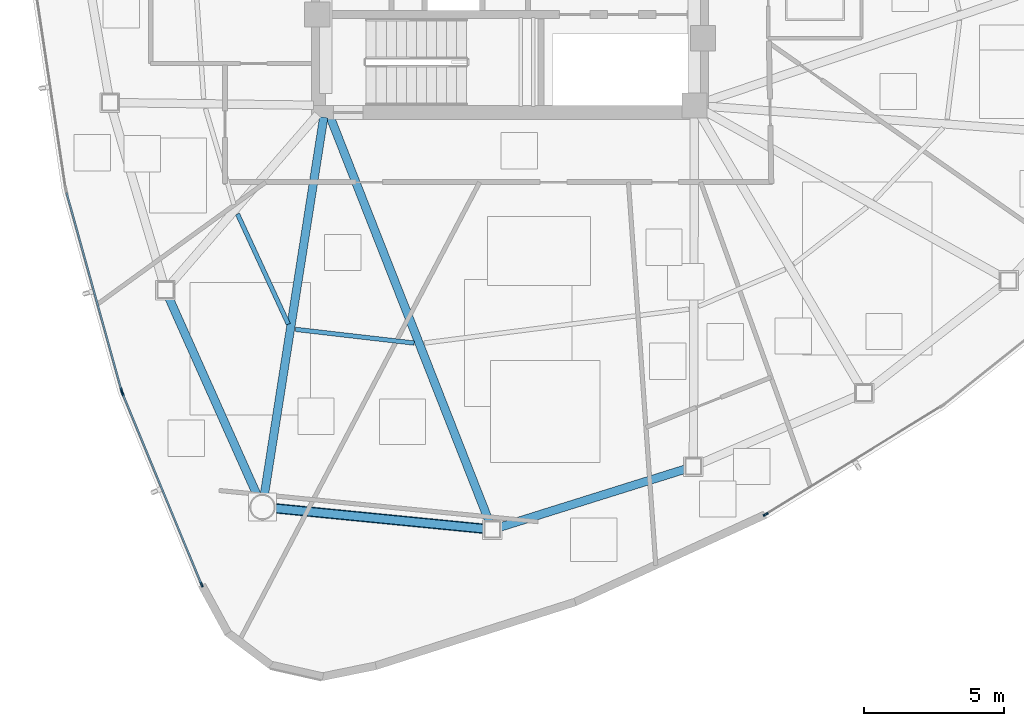
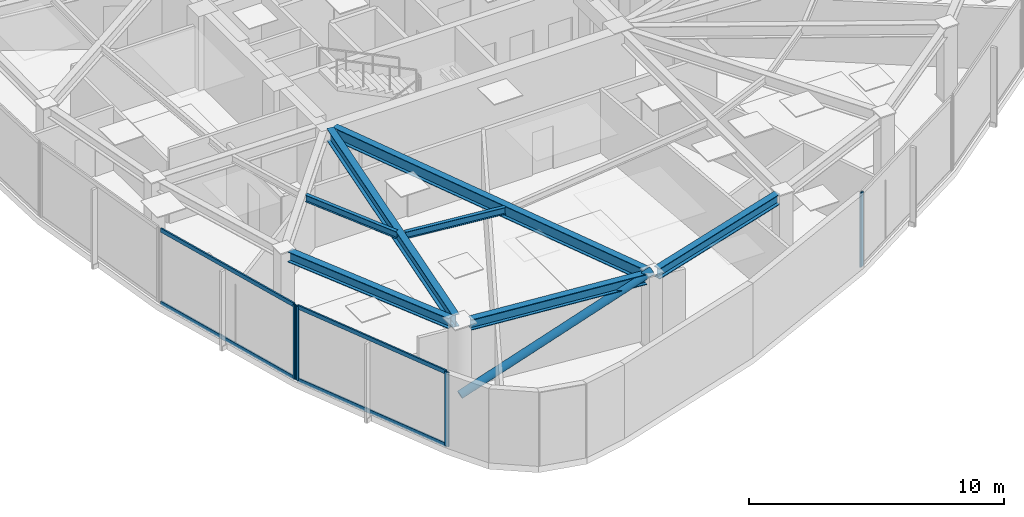
# One storey, part 2 of 18: 9 members, 7 beams, 3 elements without a shape of their own.
"""IFC4 building model written with IfcOpenShell, lengths in metres."""

import ifcopenshell
import ifcopenshell.guid

model = None  # the IFC model being written
_history = None  # IfcOwnerHistory: only IFC2X3 demands one
_inside = {}  # id of a spatial element -> (the spatial element, [elements in it])
_under = {}  # id of a project, library or spatial element -> (it, [spatial elements below it])
_declared = {}  # id of a project -> (the project, [libraries it declares])
_typed = {}  # id of a type object -> (the type object, [elements of that type])
_made_of = {}  # id of a material, layer set ... -> (it, [elements and type objects made of it])


def new_model(schema):
    """Start an empty IFC model of exactly this schema.

    Asked for "IFC4X3", IfcOpenShell would pick the latest addendum, in which some entities
    have other attributes; the version numbers below select the first issue.
    IFC2X3 requires an IfcOwnerHistory on every rooted entity: one is made here for all.
    """
    global model, _history
    if schema == "IFC4X3":
        model = ifcopenshell.file(schema_version=(4, 3, 0, 0))
    else:
        model = ifcopenshell.file(schema=schema)
    _inside.clear()
    _under.clear()
    _declared.clear()
    _typed.clear()
    _made_of.clear()
    _history = None
    if model.schema == "IFC2X3":
        org = make("IfcOrganization", Name="unknown")
        user = make(
            "IfcPersonAndOrganization",
            ThePerson=make("IfcPerson", FamilyName="unknown"),
            TheOrganization=org,
        )
        app = make(
            "IfcApplication",
            ApplicationDeveloper=org,
            Version="unknown",
            ApplicationFullName="unknown",
            ApplicationIdentifier="unknown",
        )
        _history = make(
            "IfcOwnerHistory",
            OwningUser=user,
            OwningApplication=app,
            ChangeAction="ADDED",
            CreationDate=0,
        )
    return model


def make(cls, **values):
    """One entity of the class cls with the attributes given. An attribute that is None is left unset."""
    return model.create_entity(
        cls, **{name: value for name, value in values.items() if value is not None}
    )


def rooted(cls, **values):
    """An entity with a GlobalId (a new one), such as an element, a storey or a relation."""
    return make(cls, GlobalId=ifcopenshell.guid.new(), OwnerHistory=_history, **values)


def si_unit(unit_type, name, prefix=None):
    """IfcSIUnit, for example si_unit("LENGTHUNIT", "METRE", prefix="MILLI")."""
    return make("IfcSIUnit", UnitType=unit_type, Prefix=prefix, Name=name)


def assignment(units):
    """IfcUnitAssignment: the units of a project."""
    return None if units is None else make("IfcUnitAssignment", Units=units)


def point(xyz):
    """IfcCartesianPoint."""
    return None if xyz is None else make("IfcCartesianPoint", Coordinates=xyz)


def direction(xyz):
    """IfcDirection."""
    return None if xyz is None else make("IfcDirection", DirectionRatios=xyz)


def frame(location, z_axis=None, x_axis=None):
    """IfcAxis2Placement3D, a coordinate frame: its origin and axes. An axis left out is left unset."""
    return make(
        "IfcAxis2Placement3D",
        Location=point(location),
        Axis=direction(z_axis),
        RefDirection=direction(x_axis),
    )


def frame_2d(location, x_axis=None):
    """IfcAxis2Placement2D, a coordinate frame in the plane: its origin and x axis."""
    return make(
        "IfcAxis2Placement2D", Location=point(location), RefDirection=direction(x_axis)
    )


def origin():
    """The frame at (0, 0, 0) with its axes left unset."""
    return frame((0.0, 0.0, 0.0))


def origin_2d():
    """The frame at (0, 0) in the plane with its x axis left unset."""
    return frame_2d((0.0, 0.0))


def place(relative_to, where):
    """IfcLocalPlacement: puts the frame where relative to a parent placement (None: the world)."""
    return make(
        "IfcLocalPlacement", PlacementRelTo=relative_to, RelativePlacement=where
    )


def context(
    kind, dimensions, precision=None, world=None, true_north=None, identifier=None
):
    """IfcGeometricRepresentationContext, for example the 3D "Model" context."""
    return make(
        "IfcGeometricRepresentationContext",
        ContextIdentifier=identifier,
        ContextType=kind,
        CoordinateSpaceDimension=dimensions,
        Precision=precision,
        WorldCoordinateSystem=world,
        TrueNorth=true_north,
    )


def subcontext(parent, identifier, kind, view, scale=None):
    """IfcGeometricRepresentationSubContext, for example "Body" below "Model"."""
    return make(
        "IfcGeometricRepresentationSubContext",
        ContextIdentifier=identifier,
        ContextType=kind,
        ParentContext=parent,
        TargetScale=scale,
        TargetView=view,
    )


def project(units=None, contexts=None):
    """IfcProject with its units and contexts."""
    return rooted(
        "IfcProject",
        Name="project",
        RepresentationContexts=contexts,
        UnitsInContext=assignment(units),
    )


def spatial(cls, under=None, at=None, **own):
    """A site, building, storey or space (cls), placed at a placement, below another one or the project."""
    s = rooted(cls, ObjectPlacement=at, **own)
    if under is not None:
        _under.setdefault(under.id(), (under, []))[1].append(s)
    return s


def profile(cls, at=None, kind="AREA", **sizes):
    """A parametric profile (cls). Its sizes go by their IFC names, for example OverallWidth=200.0."""
    return make(cls, ProfileType=kind, Position=at, **sizes)


def hollow_rectangle(**sizes):
    """IfcRectangleHollowProfileDef."""
    return profile("IfcRectangleHollowProfileDef", **sizes)


def hollow_circle(**sizes):
    """IfcCircleHollowProfileDef."""
    return profile("IfcCircleHollowProfileDef", **sizes)


def i_section(**sizes):
    """IfcIShapeProfileDef."""
    return profile("IfcIShapeProfileDef", **sizes)


def extrude(swept, where, along, depth):
    """IfcExtrudedAreaSolid: the profile swept, set in the frame where, extruded along a direction by depth."""
    return make(
        "IfcExtrudedAreaSolid",
        SweptArea=swept,
        Position=where,
        ExtrudedDirection=direction(along),
        Depth=depth,
    )


def shape(context_of_items, identifier, shape_type, items):
    """IfcShapeRepresentation: the items that make up one representation, for example the "Body"."""
    return make(
        "IfcShapeRepresentation",
        ContextOfItems=context_of_items,
        RepresentationIdentifier=identifier,
        RepresentationType=shape_type,
        Items=items,
    )


def source(mapping_origin, context_of_items, identifier, shape_type, items):
    """IfcRepresentationMap: a shape defined once, which mapped items show again and again."""
    return make(
        "IfcRepresentationMap",
        MappingOrigin=mapping_origin,
        MappedRepresentation=shape(context_of_items, identifier, shape_type, items),
    )


def transform(
    local_origin,
    x_axis=None,
    y_axis=None,
    z_axis=None,
    scale=None,
    scale2=None,
    scale3=None,
    uniform=True,
):
    """IfcCartesianTransformationOperator3D, or its non-uniform kind. x_axis, y_axis, z_axis: its Axis1, 2, 3."""
    if uniform:
        return make(
            "IfcCartesianTransformationOperator3D",
            Axis1=direction(x_axis),
            Axis2=direction(y_axis),
            LocalOrigin=point(local_origin),
            Scale=scale,
            Axis3=direction(z_axis),
        )
    return make(
        "IfcCartesianTransformationOperator3DnonUniform",
        Axis1=direction(x_axis),
        Axis2=direction(y_axis),
        LocalOrigin=point(local_origin),
        Scale=scale,
        Axis3=direction(z_axis),
        Scale2=scale2,
        Scale3=scale3,
    )


def mapped(mapping_source, mapping_target):
    """IfcMappedItem: shows the shape of a source again, moved by a transform."""
    return make(
        "IfcMappedItem", MappingSource=mapping_source, MappingTarget=mapping_target
    )


def material(Name=None, Category=None):
    """IfcMaterial."""
    return make("IfcMaterial", Name=Name, Category=Category)


def layer(
    of_material, thickness, ventilated=None, Name=None, Category=None, Priority=None
):
    """IfcMaterialLayer: one layer of a wall or slab, of a material (None: an air gap)."""
    return make(
        "IfcMaterialLayer",
        Material=of_material,
        LayerThickness=thickness,
        IsVentilated=ventilated,
        Name=Name,
        Category=Category,
        Priority=Priority,
    )


def layer_set(layers, Name=None):
    """IfcMaterialLayerSet."""
    return make("IfcMaterialLayerSet", MaterialLayers=layers, LayerSetName=Name)


def material_profile(
    of_material, cross_section, Name=None, Category=None, Priority=None
):
    """IfcMaterialProfile: a cross section and its material."""
    return make(
        "IfcMaterialProfile",
        Name=Name,
        Material=of_material,
        Profile=cross_section,
        Priority=Priority,
        Category=Category,
    )


def profile_set(profiles, Name=None, composite=None):
    """IfcMaterialProfileSet."""
    return make(
        "IfcMaterialProfileSet",
        Name=Name,
        MaterialProfiles=profiles,
        CompositeProfile=composite,
    )


def made_of(thing, what):
    """Note that an element or type object is made of a material, layer set ...; save() writes the relation."""
    if what is not None:
        _made_of.setdefault(what.id(), (what, []))[1].append(thing)
    return thing


def type_object(cls, material=None, **own):
    """A type object (cls), such as IfcWallType, which elements share."""
    return made_of(rooted(cls, **own), material)


def type_shapes(of_type, sources):
    """Give a type object the sources (RepresentationMaps) that its elements show as mapped items."""
    of_type.RepresentationMaps = sources


def element(
    cls,
    number,
    at=None,
    inside=None,
    cuts=None,
    type_object=None,
    material=None,
    context=None,
    identifier="Body",
    shape_type=None,
    held_by="IfcProductDefinitionShape",
    body=None,
    shapes=None,
    **own,
):
    """One element of the class cls, such as IfcWall. Its Tag is "e" and its number.

    at: its placement. inside: the storey or other place that contains it. cuts: it is an
    opening in that element (IfcRelVoidsElement). A single representation is given by context,
    identifier, shape_type and body (its items); several are given by shapes. held_by: the class
    of the entity that holds the representations. save() writes the other relations.
    """
    e = rooted(cls, Tag="e%d" % number, ObjectPlacement=at, **own)
    if body is not None:
        shapes = [shape(context, identifier, shape_type, body)]
    if shapes is not None:
        e.Representation = make(held_by, Representations=shapes)
    if inside is not None:
        _inside.setdefault(inside.id(), (inside, []))[1].append(e)
    if cuts is not None:
        rooted(
            "IfcRelVoidsElement", RelatingBuildingElement=cuts, RelatedOpeningElement=e
        )
    if type_object is not None:
        _typed.setdefault(type_object.id(), (type_object, []))[1].append(e)
    return made_of(e, material)


def aggregate(whole, parts):
    """IfcRelAggregates: a whole, such as a stair, and the parts it consists of."""
    return rooted("IfcRelAggregates", RelatingObject=whole, RelatedObjects=parts)


def save(model, path):
    """Write the relations noted so far, then the file.

    IfcRelAggregates (storeys below a building ...), IfcRelContainedInSpatialStructure (elements
    in a storey), IfcRelDefinesByType, IfcRelAssociatesMaterial and IfcRelDeclares: one each for
    every whole, place, type object, material and project.
    """
    for whole, parts in _under.values():
        aggregate(whole, parts)
    for where, things in _inside.values():
        rooted(
            "IfcRelContainedInSpatialStructure",
            RelatedElements=things,
            RelatingStructure=where,
        )
    for kind, things in _typed.values():
        rooted("IfcRelDefinesByType", RelatedObjects=things, RelatingType=kind)
    for what, things in _made_of.values():
        rooted("IfcRelAssociatesMaterial", RelatedObjects=things, RelatingMaterial=what)
    for by, libraries in _declared.values():
        rooted("IfcRelDeclares", RelatingContext=by, RelatedDefinitions=libraries)
    model.write(path)


model = new_model("IFC4")

# Units and contexts
model_context = context("Model", 3, precision=1e-05, world=origin(), true_north=direction((0.0, 1.0)))
body_context = subcontext(model_context, "Body", "Model", "MODEL_VIEW")
ifc_project = project(units=[si_unit("LENGTHUNIT", "METRE"), si_unit("AREAUNIT", "SQUARE_METRE"), si_unit("VOLUMEUNIT", "CUBIC_METRE"), si_unit("PLANEANGLEUNIT", "RADIAN"), si_unit("MASSUNIT", "GRAM", prefix="KILO")], contexts=[model_context])

# Site, building, storey
site_placement = place(None, origin())
site = spatial("IfcSite", under=ifc_project, at=site_placement, CompositionType="ELEMENT")
building_placement = place(site_placement, origin())
building = spatial("IfcBuilding", under=site, at=building_placement, Name="Tavelor Broadcast Tower", CompositionType="ELEMENT")
storey_placement = place(building_placement, frame((0.0, 0.0, 181.050048828125)))
storey = spatial("IfcBuildingStorey", under=building, at=storey_placement, Name="L43", CompositionType="ELEMENT", Elevation=181.050048828125)

# Beams
ifc_material_1 = material(Name="Steel S355", Category="steel")
ifc_material_profile_1 = material_profile(ifc_material_1, i_section(OverallWidth=0.159912109375, OverallDepth=0.330078125, WebThickness=0.007568359375, FlangeThickness=0.011474609375, at=origin_2d()), Name="IPE 330")
ifc_profile_set_1 = profile_set([ifc_material_profile_1], Name="Steel S355")
beam_type_1 = type_object("IfcBeamType", Name="Composite Floor Joist T4 IPE 330", PredefinedType="JOIST", material=ifc_profile_set_1)
beam_1_placement = place(storey_placement, frame((40.2470703125, 34.91259765625, 3.385009765625), z_axis=(0.418865688231, -0.908048200936, 0.0), x_axis=(0.908048200936, 0.418865688231, 0.0)))
element("IfcBeam", 1, at=beam_1_placement, inside=storey, type_object=beam_type_1, Name="L43 Secondary Composite Floor Joist 06", PredefinedType="JOIST", context=body_context, shape_type="SweptSolid", body=[
    extrude(i_section(OverallWidth=0.159912109375, OverallDepth=0.330078125, WebThickness=0.007568359375, FlangeThickness=0.011474609375, at=origin_2d()), origin(), (0.0, 0.0, 1.0), 4.343505859375),
])
beam_2_placement = place(storey_placement, frame((42.322021484375, 30.783447265625, 3.385009765625), z_axis=(0.99339343168, -0.114758397927, 0.0), x_axis=(0.114758397927, 0.99339343168, 0.0)))
element("IfcBeam", 2, at=beam_2_placement, inside=storey, type_object=beam_type_1, Name="L43 Secondary Composite Floor Joist 07", PredefinedType="JOIST", context=body_context, shape_type="SweptSolid", body=[
    extrude(i_section(OverallWidth=0.159912109375, OverallDepth=0.330078125, WebThickness=0.007568359375, FlangeThickness=0.011474609375, at=origin_2d()), origin(), (0.0, 0.0, 1.0), 4.2783203125),
])
ifc_material_profile_2 = material_profile(ifc_material_1, i_section(OverallWidth=0.300048828125, OverallDepth=0.5, WebThickness=0.014404296875, FlangeThickness=0.028076171875, at=origin_2d()), Name="HEB 500")
ifc_profile_set_2 = profile_set([ifc_material_profile_2], Name="Steel S355")
beam_type_2 = type_object("IfcBeamType", Name="Perimeter Spandrel Beam T4 HEB 500", PredefinedType="SPANDREL", material=ifc_profile_set_2)
beam_3_placement = place(storey_placement, frame((37.78564453125, 31.927490234375, 3.300048828125), z_axis=(0.407969002466, -0.912995779304, 0.0), x_axis=(0.912995779304, 0.407969002466, 0.0)))
element("IfcBeam", 3, at=beam_3_placement, inside=storey, type_object=beam_type_2, Name="L43 Framed-Tube Ring Spandrel 06", PredefinedType="SPANDREL", context=body_context, shape_type="SweptSolid", body=[
    extrude(i_section(OverallWidth=0.300048828125, OverallDepth=0.5, WebThickness=0.014404296875, FlangeThickness=0.028076171875, at=origin_2d()), origin(), (0.0, 0.0, 1.0), 7.7802734375),
])
beam_4_placement = place(storey_placement, frame((41.5751953125, 24.381103515625, 3.300048828125), z_axis=(0.995249339376, -0.097358884918, 0.0), x_axis=(0.097358884918, 0.995249339376, 0.0)))
element("IfcBeam", 4, at=beam_4_placement, inside=storey, type_object=beam_type_2, Name="L43 Framed-Tube Ring Spandrel 07", PredefinedType="SPANDREL", context=body_context, shape_type="SweptSolid", body=[
    extrude(i_section(OverallWidth=0.300048828125, OverallDepth=0.5, WebThickness=0.014404296875, FlangeThickness=0.028076171875, at=origin_2d()), origin(), (0.0, 0.0, 1.0), 7.54052734375),
])
beam_5_placement = place(storey_placement, frame((49.641357421875, 23.705078125, 3.300048828125), z_axis=(0.954273247332, 0.298935727918, 0.0), x_axis=(-0.298935727918, 0.954273247332, 0.0)))
element("IfcBeam", 5, at=beam_5_placement, inside=storey, type_object=beam_type_2, Name="L43 Framed-Tube Ring Spandrel 08", PredefinedType="SPANDREL", context=body_context, shape_type="SweptSolid", body=[
    extrude(i_section(OverallWidth=0.300048828125, OverallDepth=0.5, WebThickness=0.014404296875, FlangeThickness=0.028076171875, at=origin_2d()), origin(), (0.0, 0.0, 1.0), 6.963134765625),
])

# Member
ifc_material_profile_3 = material_profile(ifc_material_1, hollow_circle(Radius=0.177734375, WallThickness=0.01611328125, at=origin_2d()), Name="CHS 355.6x16")
ifc_profile_set_3 = profile_set([ifc_material_profile_3], Name="Steel S355")
member_type_1 = type_object("IfcMemberType", Name="Perimeter Tube Brace T4 CHS 355.6x16", PredefinedType="BRACE", material=ifc_profile_set_3)
member_1_placement = place(storey_placement, frame((41.138671875, 24.423828125, 0.0), z_axis=(0.914496364203, -0.089466025126, 0.394578547577), x_axis=(0.097366094377, 0.995248634094, 0.0)))
element("IfcMember", 6, at=member_1_placement, inside=storey, type_object=member_type_1, Name="L43 Corner Tube Diagonal Brace 2", PredefinedType="BRACE", context=body_context, shape_type="SweptSolid", body=[
    extrude(hollow_circle(Radius=0.177734375, WallThickness=0.01611328125, at=origin_2d()), origin(), (0.0, 0.0, 1.0), 8.9970703125),
])

# Beams
ifc_material_profile_4 = material_profile(ifc_material_1, i_section(OverallWidth=0.300048828125, OverallDepth=0.590087890625, WebThickness=0.012939453125, FlangeThickness=0.02490234375, at=origin_2d()), Name="HEA 600")
ifc_profile_set_4 = profile_set([ifc_material_profile_4], Name="Steel S355")
beam_type_3 = type_object("IfcBeamType", Name="Radial Floor Girder T4 HEA 600", PredefinedType="BEAM", material=ifc_profile_set_4)
beam_6_placement = place(storey_placement, frame((43.3330078125, 38.373291015625, 3.2548828125), z_axis=(-0.15539903111, -0.987851780952, 0.0), x_axis=(0.987851780952, -0.15539903111, 0.0)))
element("IfcBeam", 7, at=beam_6_placement, inside=storey, type_object=beam_type_3, Name="L43 Radial Primary Floor Girder 07", PredefinedType="BEAM", context=body_context, shape_type="SweptSolid", body=[
    extrude(i_section(OverallWidth=0.300048828125, OverallDepth=0.590087890625, WebThickness=0.012939453125, FlangeThickness=0.02490234375, at=origin_2d()), origin(), (0.0, 0.0, 1.0), 13.682373046875),
])
beam_7_placement = place(storey_placement, frame((43.55810546875, 38.39794921875, 3.2548828125), z_axis=(0.365784627572, -0.930699525213, 0.0), x_axis=(0.930699525213, 0.365784627572, 0.0)))
element("IfcBeam", 8, at=beam_7_placement, inside=storey, type_object=beam_type_3, Name="L43 Radial Primary Floor Girder 08", PredefinedType="BEAM", context=body_context, shape_type="SweptSolid", body=[
    extrude(i_section(OverallWidth=0.300048828125, OverallDepth=0.590087890625, WebThickness=0.012939453125, FlangeThickness=0.02490234375, at=origin_2d()), origin(), (0.0, 0.0, 1.0), 15.591552734375),
])

# Curtain wall, member
ifc_material_2 = material(Name="Architectural Anodized Aluminium", Category="aluminium")
ifc_layer = layer(ifc_material_2, 0.18994140625)
ifc_layer_set = layer_set([ifc_layer], Name="Architectural Anodized Aluminium")
curtain_wall_type = type_object("IfcCurtainWallType", Name="Tower Mid-Zone Acoustic Curtain Wall CW03", PredefinedType="NOTDEFINED", material=ifc_layer_set)
curtain_wall_1_placement = place(storey_placement, origin())
curtain_wall_1 = element("IfcCurtainWall", 9, at=curtain_wall_1_placement, inside=storey, type_object=curtain_wall_type, Name="L43 Curtain Wall CW03 Run 459", PredefinedType="NOTDEFINED")
ifc_material_profile_5 = material_profile(ifc_material_2, hollow_rectangle(XDim=0.068115234375, YDim=0.18994140625, WallThickness=0.02197265625, at=origin_2d()), Name="RHS 68x190x22")
ifc_profile_set_5 = profile_set([ifc_material_profile_5], Name="Architectural Anodized Aluminium")
member_type_2 = type_object("IfcMemberType", Name="CW03 Extruded Aluminium Mullion 68x190", PredefinedType="MULLION", material=ifc_profile_set_5)
shared_shape_1 = source(origin(), body_context, "Body", "SweptSolid", [
    extrude(hollow_rectangle(XDim=0.068115234375, YDim=0.18994140625, WallThickness=0.02197265625, at=origin_2d()), origin(), (0.0, 0.0, 1.0), 3.550048828125),
])
type_shapes(member_type_2, [shared_shape_1])
member_2_placement = place(storey_placement, frame((36.097900390625, 28.58984375, 0.0), z_axis=(0.0, 0.0, 1.0), x_axis=(0.963512530345, 0.267663228459, 0.0)))
member_2 = element("IfcMember", 10, at=member_2_placement, type_object=member_type_2, Name="CW03 mullion 2", PredefinedType="MULLION", context=body_context, shape_type="MappedRepresentation", body=[
    mapped(shared_shape_1, transform((0.0, 0.0, 0.0), scale=1.0)),
])

# Curtain wall, members
curtain_wall_2_placement = place(storey_placement, origin())
curtain_wall_2 = element("IfcCurtainWall", 11, at=curtain_wall_2_placement, inside=storey, type_object=curtain_wall_type, Name="L43 Curtain Wall CW03 Run 460", PredefinedType="NOTDEFINED")
member_3_placement = place(storey_placement, frame((36.129638671875, 28.497314453125, 0.0), z_axis=(0.0, 0.0, 1.0), x_axis=(0.924037207945, 0.382302548165, 0.0)))
member_3 = element("IfcMember", 12, at=member_3_placement, type_object=member_type_2, Name="CW03 mullion 1", PredefinedType="MULLION", context=body_context, shape_type="MappedRepresentation", body=[
    mapped(shared_shape_1, transform((0.0, 0.0, 0.0), scale=1.0)),
])
member_4_placement = place(storey_placement, frame((38.960693359375, 21.654296875, 0.0), z_axis=(0.0, 0.0, 1.0), x_axis=(0.924037207945, 0.382302548165, 0.0)))
member_4 = element("IfcMember", 13, at=member_4_placement, type_object=member_type_2, Name="CW03 mullion 2", PredefinedType="MULLION", context=body_context, shape_type="MappedRepresentation", body=[
    mapped(shared_shape_1, transform((0.0, 0.0, 0.0), scale=1.0)),
])

# Curtain wall, member
curtain_wall_3_placement = place(storey_placement, origin())
curtain_wall_3 = element("IfcCurtainWall", 14, at=curtain_wall_3_placement, inside=storey, type_object=curtain_wall_type, Name="L43 Curtain Wall CW03 Run 461", PredefinedType="NOTDEFINED")
member_5_placement = place(storey_placement, frame((59.151123046875, 24.162841796875, 0.0), z_axis=(0.0, 0.0, 1.0), x_axis=(-0.524352760704, 0.851501134669, 0.0)))
member_5 = element("IfcMember", 15, at=member_5_placement, type_object=member_type_2, Name="CW03 mullion 1", PredefinedType="MULLION", context=body_context, shape_type="MappedRepresentation", body=[
    mapped(shared_shape_1, transform((0.0, 0.0, 0.0), scale=1.0)),
])
aggregate(curtain_wall_3, [member_5])

# Member
ifc_material_profile_6 = material_profile(ifc_material_2, hollow_rectangle(XDim=0.068115234375, YDim=0.18994140625, WallThickness=0.02197265625, at=origin_2d()), Name="RHS 68x190x22")
ifc_profile_set_6 = profile_set([ifc_material_profile_6], Name="Architectural Anodized Aluminium")
member_type_3 = type_object("IfcMemberType", Name="CW03 Extruded Aluminium Transom 68x190", PredefinedType="USERDEFINED", material=ifc_profile_set_6)
shared_shape_2 = source(origin(), body_context, "Body", "SweptSolid", [
    extrude(hollow_rectangle(XDim=0.068115234375, YDim=0.18994140625, WallThickness=0.02197265625, at=origin_2d()), origin(), (0.0, 0.0, 1.0), 7.321533203125),
])
member_6_placement = place(storey_placement, frame((34.12890625, 35.677001953125, 0.033935546875), z_axis=(0.267662781703, -0.963512654453, 0.0), x_axis=(0.963512654453, 0.267662781703, 0.0)))
member_6 = element("IfcMember", 16, at=member_6_placement, type_object=member_type_3, Name="CW03 transom 1.1", ObjectType="TRANSOM", PredefinedType="USERDEFINED", context=body_context, shape_type="MappedRepresentation", body=[
    mapped(shared_shape_2, transform((0.0, 0.0, 0.0), scale=1.0)),
])

member_7_placement = place(storey_placement, frame((34.12890625, 35.677001953125, 3.515869140625), z_axis=(0.267662781703, -0.963512654453, 0.0), x_axis=(0.963512654453, 0.267662781703, 0.0)))
member_7 = element("IfcMember", 17, at=member_7_placement, type_object=member_type_3, Name="CW03 transom 1.2", ObjectType="TRANSOM", PredefinedType="USERDEFINED", context=body_context, shape_type="MappedRepresentation", body=[
    mapped(shared_shape_2, transform((0.0, 0.0, 0.0), scale=1.0)),
])

aggregate(curtain_wall_1, [member_2, member_6, member_7])

shared_shape_3 = source(origin(), body_context, "Body", "SweptSolid", [
    extrude(hollow_rectangle(XDim=0.068115234375, YDim=0.18994140625, WallThickness=0.02197265625, at=origin_2d()), origin(), (0.0, 0.0, 1.0), 7.33740234375),
])
type_shapes(member_type_3, [shared_shape_2, shared_shape_3])
member_8_placement = place(storey_placement, frame((36.142578125, 28.4658203125, 0.033935546875), z_axis=(0.382310648261, -0.924033856645, 0.0), x_axis=(0.924033856645, 0.382310648261, 0.0)))
member_8 = element("IfcMember", 18, at=member_8_placement, type_object=member_type_3, Name="CW03 transom 1.1", ObjectType="TRANSOM", PredefinedType="USERDEFINED", context=body_context, shape_type="MappedRepresentation", body=[
    mapped(shared_shape_3, transform((0.0, 0.0, 0.0), scale=1.0)),
])

member_9_placement = place(storey_placement, frame((36.142578125, 28.4658203125, 3.515869140625), z_axis=(0.382310648261, -0.924033856645, 0.0), x_axis=(0.924033856645, 0.382310648261, 0.0)))
member_9 = element("IfcMember", 19, at=member_9_placement, type_object=member_type_3, Name="CW03 transom 1.2", ObjectType="TRANSOM", PredefinedType="USERDEFINED", context=body_context, shape_type="MappedRepresentation", body=[
    mapped(shared_shape_3, transform((0.0, 0.0, 0.0), scale=1.0)),
])

aggregate(curtain_wall_2, [member_3, member_4, member_8, member_9])

save(model, "model.ifc")
